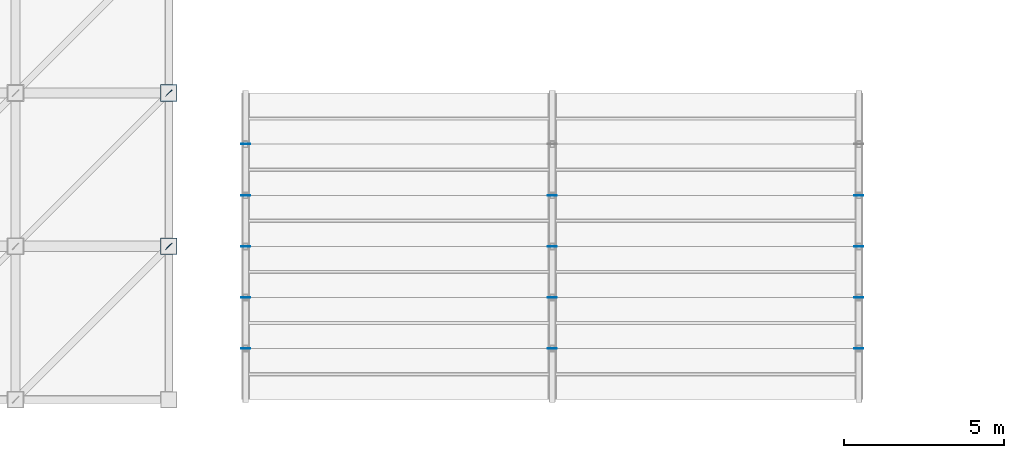
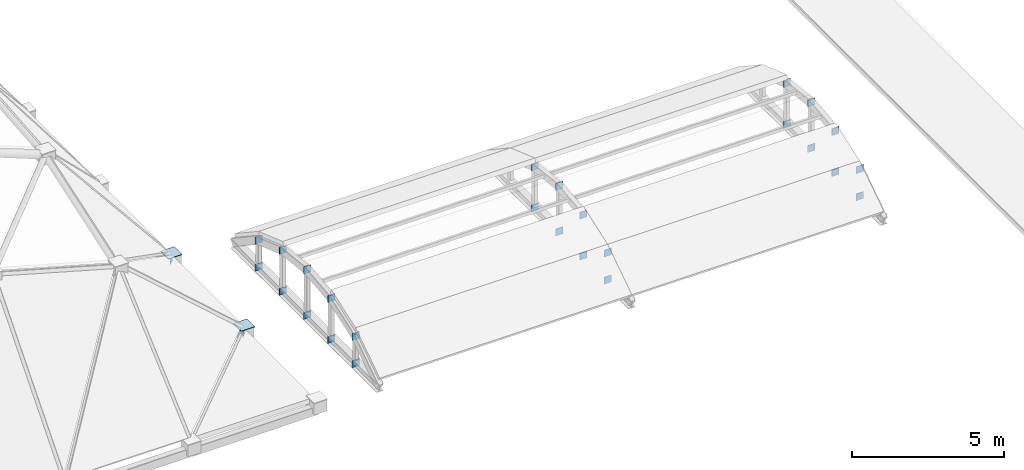
# One storey, part 45 of 70: 30 plates.
"""IFC4 building model written with IfcOpenShell, lengths in metres."""

import ifcopenshell
import ifcopenshell.guid

model = None  # the IFC model being written
_history = None  # IfcOwnerHistory: only IFC2X3 demands one
_inside = {}  # id of a spatial element -> (the spatial element, [elements in it])
_under = {}  # id of a project, library or spatial element -> (it, [spatial elements below it])
_declared = {}  # id of a project -> (the project, [libraries it declares])
_typed = {}  # id of a type object -> (the type object, [elements of that type])
_made_of = {}  # id of a material, layer set ... -> (it, [elements and type objects made of it])


def new_model(schema):
    """Start an empty IFC model of exactly this schema.

    Asked for "IFC4X3", IfcOpenShell would pick the latest addendum, in which some entities
    have other attributes; the version numbers below select the first issue.
    IFC2X3 requires an IfcOwnerHistory on every rooted entity: one is made here for all.
    """
    global model, _history
    if schema == "IFC4X3":
        model = ifcopenshell.file(schema_version=(4, 3, 0, 0))
    else:
        model = ifcopenshell.file(schema=schema)
    _inside.clear()
    _under.clear()
    _declared.clear()
    _typed.clear()
    _made_of.clear()
    _history = None
    if model.schema == "IFC2X3":
        org = make("IfcOrganization", Name="unknown")
        user = make(
            "IfcPersonAndOrganization",
            ThePerson=make("IfcPerson", FamilyName="unknown"),
            TheOrganization=org,
        )
        app = make(
            "IfcApplication",
            ApplicationDeveloper=org,
            Version="unknown",
            ApplicationFullName="unknown",
            ApplicationIdentifier="unknown",
        )
        _history = make(
            "IfcOwnerHistory",
            OwningUser=user,
            OwningApplication=app,
            ChangeAction="ADDED",
            CreationDate=0,
        )
    return model


def make(cls, **values):
    """One entity of the class cls with the attributes given. An attribute that is None is left unset."""
    return model.create_entity(
        cls, **{name: value for name, value in values.items() if value is not None}
    )


def rooted(cls, **values):
    """An entity with a GlobalId (a new one), such as an element, a storey or a relation."""
    return make(cls, GlobalId=ifcopenshell.guid.new(), OwnerHistory=_history, **values)


def si_unit(unit_type, name, prefix=None):
    """IfcSIUnit, for example si_unit("LENGTHUNIT", "METRE", prefix="MILLI")."""
    return make("IfcSIUnit", UnitType=unit_type, Prefix=prefix, Name=name)


def assignment(units):
    """IfcUnitAssignment: the units of a project."""
    return None if units is None else make("IfcUnitAssignment", Units=units)


def point(xyz):
    """IfcCartesianPoint."""
    return None if xyz is None else make("IfcCartesianPoint", Coordinates=xyz)


def direction(xyz):
    """IfcDirection."""
    return None if xyz is None else make("IfcDirection", DirectionRatios=xyz)


def frame(location, z_axis=None, x_axis=None):
    """IfcAxis2Placement3D, a coordinate frame: its origin and axes. An axis left out is left unset."""
    return make(
        "IfcAxis2Placement3D",
        Location=point(location),
        Axis=direction(z_axis),
        RefDirection=direction(x_axis),
    )


def frame_2d(location, x_axis=None):
    """IfcAxis2Placement2D, a coordinate frame in the plane: its origin and x axis."""
    return make(
        "IfcAxis2Placement2D", Location=point(location), RefDirection=direction(x_axis)
    )


def origin():
    """The frame at (0, 0, 0) with its axes left unset."""
    return frame((0.0, 0.0, 0.0))


def origin_2d():
    """The frame at (0, 0) in the plane with its x axis left unset."""
    return frame_2d((0.0, 0.0))


def place(relative_to, where):
    """IfcLocalPlacement: puts the frame where relative to a parent placement (None: the world)."""
    return make(
        "IfcLocalPlacement", PlacementRelTo=relative_to, RelativePlacement=where
    )


def context(
    kind, dimensions, precision=None, world=None, true_north=None, identifier=None
):
    """IfcGeometricRepresentationContext, for example the 3D "Model" context."""
    return make(
        "IfcGeometricRepresentationContext",
        ContextIdentifier=identifier,
        ContextType=kind,
        CoordinateSpaceDimension=dimensions,
        Precision=precision,
        WorldCoordinateSystem=world,
        TrueNorth=true_north,
    )


def subcontext(parent, identifier, kind, view, scale=None):
    """IfcGeometricRepresentationSubContext, for example "Body" below "Model"."""
    return make(
        "IfcGeometricRepresentationSubContext",
        ContextIdentifier=identifier,
        ContextType=kind,
        ParentContext=parent,
        TargetScale=scale,
        TargetView=view,
    )


def project(units=None, contexts=None):
    """IfcProject with its units and contexts."""
    return rooted(
        "IfcProject",
        Name="project",
        RepresentationContexts=contexts,
        UnitsInContext=assignment(units),
    )


def spatial(cls, under=None, at=None, **own):
    """A site, building, storey or space (cls), placed at a placement, below another one or the project."""
    s = rooted(cls, ObjectPlacement=at, **own)
    if under is not None:
        _under.setdefault(under.id(), (under, []))[1].append(s)
    return s


def profile(cls, at=None, kind="AREA", **sizes):
    """A parametric profile (cls). Its sizes go by their IFC names, for example OverallWidth=200.0."""
    return make(cls, ProfileType=kind, Position=at, **sizes)


def rectangle(**sizes):
    """IfcRectangleProfileDef."""
    return profile("IfcRectangleProfileDef", **sizes)


def extrude(swept, where, along, depth):
    """IfcExtrudedAreaSolid: the profile swept, set in the frame where, extruded along a direction by depth."""
    return make(
        "IfcExtrudedAreaSolid",
        SweptArea=swept,
        Position=where,
        ExtrudedDirection=direction(along),
        Depth=depth,
    )


def shape(context_of_items, identifier, shape_type, items):
    """IfcShapeRepresentation: the items that make up one representation, for example the "Body"."""
    return make(
        "IfcShapeRepresentation",
        ContextOfItems=context_of_items,
        RepresentationIdentifier=identifier,
        RepresentationType=shape_type,
        Items=items,
    )


def material(Name=None, Category=None):
    """IfcMaterial."""
    return make("IfcMaterial", Name=Name, Category=Category)


def layer(
    of_material, thickness, ventilated=None, Name=None, Category=None, Priority=None
):
    """IfcMaterialLayer: one layer of a wall or slab, of a material (None: an air gap)."""
    return make(
        "IfcMaterialLayer",
        Material=of_material,
        LayerThickness=thickness,
        IsVentilated=ventilated,
        Name=Name,
        Category=Category,
        Priority=Priority,
    )


def layer_set(layers, Name=None):
    """IfcMaterialLayerSet."""
    return make("IfcMaterialLayerSet", MaterialLayers=layers, LayerSetName=Name)


def made_of(thing, what):
    """Note that an element or type object is made of a material, layer set ...; save() writes the relation."""
    if what is not None:
        _made_of.setdefault(what.id(), (what, []))[1].append(thing)
    return thing


def type_object(cls, material=None, **own):
    """A type object (cls), such as IfcWallType, which elements share."""
    return made_of(rooted(cls, **own), material)


def element(
    cls,
    number,
    at=None,
    inside=None,
    cuts=None,
    type_object=None,
    material=None,
    context=None,
    identifier="Body",
    shape_type=None,
    held_by="IfcProductDefinitionShape",
    body=None,
    shapes=None,
    **own,
):
    """One element of the class cls, such as IfcWall. Its Tag is "e" and its number.

    at: its placement. inside: the storey or other place that contains it. cuts: it is an
    opening in that element (IfcRelVoidsElement). A single representation is given by context,
    identifier, shape_type and body (its items); several are given by shapes. held_by: the class
    of the entity that holds the representations. save() writes the other relations.
    """
    e = rooted(cls, Tag="e%d" % number, ObjectPlacement=at, **own)
    if body is not None:
        shapes = [shape(context, identifier, shape_type, body)]
    if shapes is not None:
        e.Representation = make(held_by, Representations=shapes)
    if inside is not None:
        _inside.setdefault(inside.id(), (inside, []))[1].append(e)
    if cuts is not None:
        rooted(
            "IfcRelVoidsElement", RelatingBuildingElement=cuts, RelatedOpeningElement=e
        )
    if type_object is not None:
        _typed.setdefault(type_object.id(), (type_object, []))[1].append(e)
    return made_of(e, material)


def aggregate(whole, parts):
    """IfcRelAggregates: a whole, such as a stair, and the parts it consists of."""
    return rooted("IfcRelAggregates", RelatingObject=whole, RelatedObjects=parts)


def save(model, path):
    """Write the relations noted so far, then the file.

    IfcRelAggregates (storeys below a building ...), IfcRelContainedInSpatialStructure (elements
    in a storey), IfcRelDefinesByType, IfcRelAssociatesMaterial and IfcRelDeclares: one each for
    every whole, place, type object, material and project.
    """
    for whole, parts in _under.values():
        aggregate(whole, parts)
    for where, things in _inside.values():
        rooted(
            "IfcRelContainedInSpatialStructure",
            RelatedElements=things,
            RelatingStructure=where,
        )
    for kind, things in _typed.values():
        rooted("IfcRelDefinesByType", RelatedObjects=things, RelatingType=kind)
    for what, things in _made_of.values():
        rooted("IfcRelAssociatesMaterial", RelatedObjects=things, RelatingMaterial=what)
    for by, libraries in _declared.values():
        rooted("IfcRelDeclares", RelatingContext=by, RelatedDefinitions=libraries)
    model.write(path)


model = new_model("IFC4")

# Units and contexts
model_context = context("Model", 3, precision=1e-05, world=origin(), true_north=direction((0.0, 1.0)))
body_context = subcontext(model_context, "Body", "Model", "MODEL_VIEW")
ifc_project = project(units=[si_unit("LENGTHUNIT", "METRE"), si_unit("AREAUNIT", "SQUARE_METRE"), si_unit("VOLUMEUNIT", "CUBIC_METRE"), si_unit("PLANEANGLEUNIT", "RADIAN"), si_unit("MASSUNIT", "GRAM", prefix="KILO")], contexts=[model_context])

# Site, building, storey
site_placement = place(None, origin())
site = spatial("IfcSite", under=ifc_project, at=site_placement, CompositionType="ELEMENT")
building_placement = place(site_placement, origin())
building = spatial("IfcBuilding", under=site, at=building_placement, Name="Mavantir Sound Aquarium", CompositionType="ELEMENT")
storey_placement = place(building_placement, frame((0.0, 0.0, 27.0)))
storey = spatial("IfcBuildingStorey", under=building, at=storey_placement, Name="RF", CompositionType="ELEMENT", Elevation=27.0)

# Plates
ifc_material = material(Name="Structural Steel ASTM A572 Gr50", Category="steel")
ifc_layer_1 = layer(ifc_material, 0.01611328125, Name="Structural Steel ASTM A572 Gr50")
ifc_layer_set_1 = layer_set([ifc_layer_1], Name="Structural Steel ASTM A572 Gr50")
plate_type_1 = type_object("IfcPlateType", Name="PLT-GUSSET-16", PredefinedType="SHEET", material=ifc_layer_set_1)
for number, where, z_axis, x_axis, name in (
    (1, (33.60009765625, 45.60009765625, -7.33984375), (0.0, 0.0, 1.0), (0.707106781187, 0.707106781187, 0.0), "Brace end gusset plate GP-01 63"),
    (2, (33.60009765625, 50.39990234375, -7.33984375), (0.0, 0.0, 1.0), (0.707106781187, 0.707106781187, 0.0), "Brace end gusset plate GP-01 64"),
    (3, (36.0, 42.39990234375, -7.52001953125), (0.0, 0.0, 1.0), (1.0, 0.0, 0.0), "Brace end gusset plate GP-01 169"),
    (4, (36.0, 42.39990234375, -6.4287109375), (0.0, 0.0, 1.0), (1.0, 0.0, 0.0), "Brace end gusset plate GP-01 170"),
    (5, (36.0, 44.0, -7.52001953125), (0.0, 0.0, 1.0), (1.0, 0.0, 0.0), "Brace end gusset plate GP-01 171"),
    (6, (36.0, 44.0, -5.86767578125), (0.0, 0.0, 1.0), (1.0, 0.0, 0.0), "Brace end gusset plate GP-01 172"),
    (7, (36.0, 45.60009765625, -7.52001953125), (0.0, 0.0, 1.0), (1.0, 0.0, 0.0), "Brace end gusset plate GP-01 173"),
    (8, (36.0, 45.60009765625, -5.68994140625), (0.0, 0.0, 1.0), (1.0, 0.0, 0.0), "Brace end gusset plate GP-01 174"),
    (9, (36.0, 47.199951171875, -7.52001953125), (0.0, 0.0, 1.0), (1.0, 0.0, 0.0), "Brace end gusset plate GP-01 175"),
    (10, (36.0, 47.199951171875, -5.86767578125), (0.0, 0.0, 1.0), (1.0, 0.0, 0.0), "Brace end gusset plate GP-01 176"),
    (11, (36.0, 48.800048828125, -7.52001953125), (0.0, 0.0, 1.0), (1.0, 0.0, 0.0), "Brace end gusset plate GP-01 177"),
    (12, (36.0, 48.800048828125, -6.4287109375), (0.0, 0.0, 1.0), (1.0, 0.0, 0.0), "Brace end gusset plate GP-01 178"),
    (13, (45.60009765625, 42.39990234375, -7.52001953125), (0.0, 0.0, 1.0), (1.0, 0.0, 0.0), "Brace end gusset plate GP-01 179"),
    (14, (45.60009765625, 42.39990234375, -6.4287109375), (0.0, 0.0, 1.0), (1.0, 0.0, 0.0), "Brace end gusset plate GP-01 180"),
    (15, (45.60009765625, 44.0, -7.52001953125), (0.0, 0.0, 1.0), (1.0, 0.0, 0.0), "Brace end gusset plate GP-01 181"),
    (16, (45.60009765625, 44.0, -5.86767578125), (0.0, 0.0, 1.0), (1.0, 0.0, 0.0), "Brace end gusset plate GP-01 182"),
    (17, (45.60009765625, 45.60009765625, -7.52001953125), (0.0, 0.0, 1.0), (1.0, 0.0, 0.0), "Brace end gusset plate GP-01 183"),
    (18, (45.60009765625, 45.60009765625, -5.68994140625), (0.0, 0.0, 1.0), (1.0, 0.0, 0.0), "Brace end gusset plate GP-01 184"),
    (19, (45.60009765625, 47.199951171875, -7.52001953125), (0.0, 0.0, 1.0), (1.0, 0.0, 0.0), "Brace end gusset plate GP-01 185"),
    (20, (45.60009765625, 47.199951171875, -5.86767578125), (0.0, 0.0, 1.0), (1.0, 0.0, 0.0), "Brace end gusset plate GP-01 186"),
    (21, (55.199951171875, 42.39990234375, -7.52001953125), (0.0, 0.0, 1.0), (1.0, 0.0, 0.0), "Brace end gusset plate GP-01 189"),
    (22, (55.199951171875, 42.39990234375, -6.4287109375), (0.0, 0.0, 1.0), (1.0, 0.0, 0.0), "Brace end gusset plate GP-01 190"),
    (23, (55.199951171875, 44.0, -7.52001953125), (0.0, 0.0, 1.0), (1.0, 0.0, 0.0), "Brace end gusset plate GP-01 191"),
    (24, (55.199951171875, 44.0, -5.86767578125), (0.0, 0.0, 1.0), (1.0, 0.0, 0.0), "Brace end gusset plate GP-01 192"),
    (25, (55.199951171875, 45.60009765625, -7.52001953125), (0.0, 0.0, 1.0), (1.0, 0.0, 0.0), "Brace end gusset plate GP-01 193"),
    (26, (55.199951171875, 45.60009765625, -5.68994140625), (0.0, 0.0, 1.0), (1.0, 0.0, 0.0), "Brace end gusset plate GP-01 194"),
    (27, (55.199951171875, 47.199951171875, -7.52001953125), (0.0, 0.0, 1.0), (1.0, 0.0, 0.0), "Brace end gusset plate GP-01 195"),
    (28, (55.199951171875, 47.199951171875, -5.86767578125), (0.0, 0.0, 1.0), (1.0, 0.0, 0.0), "Brace end gusset plate GP-01 196"),
):
    element("IfcPlate", number, at=place(storey_placement, frame(where, z_axis=z_axis, x_axis=x_axis)), inside=storey, type_object=plate_type_1, Name=name, PredefinedType="SHEET", context=body_context, shape_type="SweptSolid", body=[
        extrude(rectangle(XDim=0.280029296875, YDim=0.01611328125, at=origin_2d()), origin(), (0.0, 0.0, 1.0), 0.280029296875),
    ])
ifc_layer_2 = layer(ifc_material, 0.02490234375, Name="Structural Steel ASTM A572 Gr50")
ifc_layer_set_2 = layer_set([ifc_layer_2], Name="Structural Steel ASTM A572 Gr50")
plate_type_2 = type_object("IfcPlateType", Name="PLT-NODE-25", PredefinedType="SHEET", material=ifc_layer_set_2)
for number, where, z_axis, x_axis, name in (
    (29, (33.60009765625, 45.60009765625, -6.972412109375), (0.0, 0.0, 1.0), (1.0, 0.0, 0.0), "Gridshell steel node cap plate NP-65"),
    (30, (33.60009765625, 50.39990234375, -6.972412109375), (0.0, 0.0, 1.0), (1.0, 0.0, 0.0), "Gridshell steel node cap plate NP-66"),
):
    element("IfcPlate", number, at=place(storey_placement, frame(where, z_axis=z_axis, x_axis=x_axis)), inside=storey, type_object=plate_type_2, Name=name, PredefinedType="SHEET", context=body_context, shape_type="SweptSolid", body=[
        extrude(rectangle(XDim=0.52001953125, YDim=0.52001953125, at=origin_2d()), origin(), (0.0, 0.0, 1.0), 0.02490234375),
    ])

save(model, "model.ifc")
